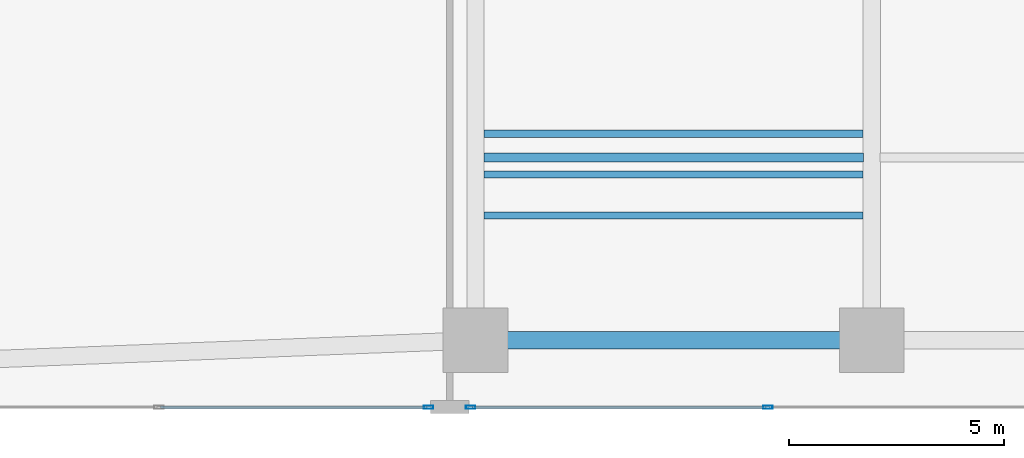
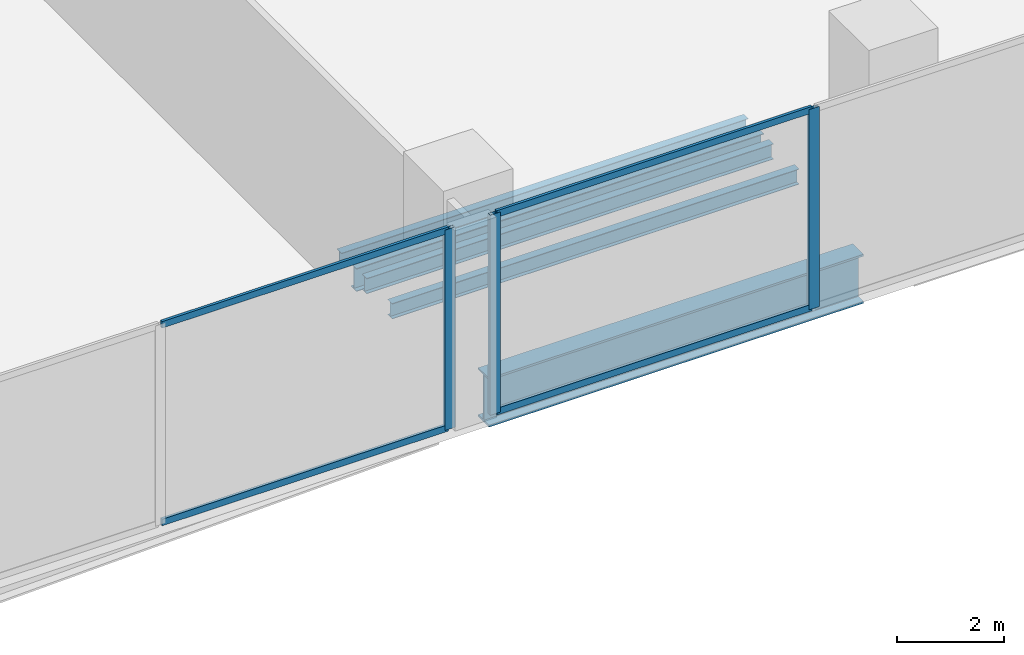
# One storey, part 4 of 28: 7 members, 5 beams, 2 elements without a shape of their own.
"""IFC4 building model written with IfcOpenShell, lengths in metres."""

from ifc_helpers import new_model, si_unit, direction, frame, origin, origin_2d, place, context, subcontext, project, spatial, hollow_rectangle, i_section, extrude, material, layer, layer_set, material_profile, profile_set, type_object, element, aggregate, save


model = new_model("IFC4")

# Units and contexts
model_context = context("Model", 3, precision=1e-05, world=origin(), true_north=direction((0.0, 1.0)))
body_context = subcontext(model_context, "Body", "Model", "MODEL_VIEW")
ifc_project = project(units=[si_unit("LENGTHUNIT", "METRE"), si_unit("AREAUNIT", "SQUARE_METRE"), si_unit("VOLUMEUNIT", "CUBIC_METRE"), si_unit("PLANEANGLEUNIT", "RADIAN"), si_unit("MASSUNIT", "GRAM", prefix="KILO")], contexts=[model_context])

# Site, building, storey
site_placement = place(None, origin())
site = spatial("IfcSite", under=ifc_project, at=site_placement, CompositionType="ELEMENT")
building_placement = place(site_placement, origin())
building = spatial("IfcBuilding", under=site, at=building_placement, Name="Zuhayl Quay Hotel", CompositionType="ELEMENT")
storey_placement = place(building_placement, frame((0.0, 0.0, 22.800048828125)))
storey = spatial("IfcBuildingStorey", under=building, at=storey_placement, Name="L04", CompositionType="ELEMENT", Elevation=22.800048828125)

# Beams
ifc_material_1 = material(Name="Steel ASTM A992 Grade 50", Category="steel")
ifc_material_profile_1 = material_profile(ifc_material_1, i_section(OverallWidth=0.208984375, OverallDepth=0.532958984375, WebThickness=0.01025390625, FlangeThickness=0.015625, at=origin_2d()), Name="W21X62")
ifc_profile_set_1 = profile_set([ifc_material_profile_1], Name="Steel ASTM A992 Grade 50")
beam_type_1 = type_object("IfcBeamType", Name="BM_J1_W21X62", PredefinedType="JOIST", material=ifc_profile_set_1)
beam_1_placement = place(storey_placement, frame((-13.60595703125, -18.199951171875, -0.526611328125), z_axis=(1.0, 0.0, 0.0), x_axis=(0.0, 1.0, 0.0)))
element("IfcBeam", 1, at=beam_1_placement, inside=storey, type_object=beam_type_1, Name="L04 Floor Beam J_POD_L04_1_1", PredefinedType="JOIST", context=body_context, shape_type="SweptSolid", body=[
    extrude(i_section(OverallWidth=0.208984375, OverallDepth=0.532958984375, WebThickness=0.01025390625, FlangeThickness=0.015625, at=origin_2d()), origin(), (0.0, 0.0, 1.0), 8.81201171875),
])
ifc_material_profile_2 = material_profile(ifc_material_1, i_section(OverallWidth=0.1708984375, OverallDepth=0.35205078125, WebThickness=0.0068359375, FlangeThickness=0.009765625, at=origin_2d()), Name="W14X30")
ifc_profile_set_2 = profile_set([ifc_material_profile_2], Name="Steel ASTM A992 Grade 50")
beam_type_2 = type_object("IfcBeamType", Name="BM_J4_W14X30", PredefinedType="JOIST", material=ifc_profile_set_2)
for number, where, z_axis, x_axis, name in (
    (2, (-13.60009765625, -19.550048828125, -0.43603515625), (1.0, 0.0, 0.0), (0.0, 1.0, 0.0), "L04 Floor Beam PTB_L04_1"),
    (3, (-13.60009765625, -18.60009765625, -0.43603515625), (1.0, 0.0, 0.0), (0.0, 1.0, 0.0), "L04 Floor Beam PTB_L04_2"),
    (4, (-13.60009765625, -17.64990234375, -0.43603515625), (1.0, 0.0, 0.0), (0.0, 1.0, 0.0), "L04 Floor Beam PTB_L04_3"),
):
    element("IfcBeam", number, at=place(storey_placement, frame(where, z_axis=z_axis, x_axis=x_axis)), inside=storey, type_object=beam_type_2, Name=name, PredefinedType="JOIST", context=body_context, shape_type="SweptSolid", body=[
        extrude(i_section(OverallWidth=0.1708984375, OverallDepth=0.35205078125, WebThickness=0.0068359375, FlangeThickness=0.009765625, at=origin_2d()), origin(), (0.0, 0.0, 1.0), 8.800048828125),
    ])
ifc_material_2 = material(Name="Steel ASTM A913 Grade 65", Category="steel")
ifc_material_profile_3 = material_profile(ifc_material_2, i_section(OverallWidth=0.404052734375, OverallDepth=1.117919921875, WebThickness=0.026123046875, FlangeThickness=0.044921875, at=origin_2d()), Name="W44X335")
ifc_profile_set_3 = profile_set([ifc_material_profile_3], Name="Steel ASTM A913 Grade 65")
beam_type_3 = type_object("IfcBeamType", Name="BM_TG1_W44X335", PredefinedType="BEAM", material=ifc_profile_set_3)
beam_2_placement = place(storey_placement, frame((-13.25, -22.449951171875, -0.819091796875), z_axis=(1.0, 0.0, 0.0), x_axis=(0.0, 1.0, 0.0)))
element("IfcBeam", 5, at=beam_2_placement, inside=storey, type_object=beam_type_3, Name="L04 Floor Beam PG_S_L04_1", PredefinedType="BEAM", context=body_context, shape_type="SweptSolid", body=[
    extrude(i_section(OverallWidth=0.404052734375, OverallDepth=1.117919921875, WebThickness=0.026123046875, FlangeThickness=0.044921875, at=origin_2d()), origin(), (0.0, 0.0, 1.0), 8.10009765625),
])

# Curtain wall, members
ifc_material_3 = material(Name="Anodised Aluminium 6063-T6", Category="aluminium")
ifc_layer = layer(ifc_material_3, 0.199951171875, Name="Anodised Aluminium 6063-T6", Category="aluminium")
ifc_layer_set = layer_set([ifc_layer], Name="Anodised Aluminium 6063-T6")
curtain_wall_type = type_object("IfcCurtainWallType", Name="CW_SYS_POD", PredefinedType="USERDEFINED", material=ifc_layer_set)
curtain_wall_1_placement = place(storey_placement, origin())
curtain_wall_1 = element("IfcCurtainWall", 6, at=curtain_wall_1_placement, inside=storey, type_object=curtain_wall_type, Name="L04 Curtain Wall ENV_L04_E11_CW2", ObjectType="UNITISED CURTAIN WALL", PredefinedType="USERDEFINED")
ifc_material_4 = material(Name="Black-anodised aluminium 6063-T6", Category="aluminium")
ifc_material_profile_4 = material_profile(ifc_material_4, hollow_rectangle(XDim=0.074951171875, YDim=0.219970703125, WallThickness=0.00390625, at=origin_2d()), Name="ALU220X75")
ifc_profile_set_4 = profile_set([ifc_material_profile_4], Name="Black-anodised aluminium 6063-T6")
member_type_1 = type_object("IfcMemberType", Name="MB_CW_MUL_220", PredefinedType="MULLION", material=ifc_profile_set_4)
member_1_placement = place(storey_placement, frame((-7.014892578125, -24.0, 0.0), z_axis=(0.0, 0.0, 1.0), x_axis=(0.0, -1.0, 0.0)))
member_1 = element("IfcMember", 7, at=member_1_placement, type_object=member_type_1, Name="CW-POD mullion 4", PredefinedType="MULLION", context=body_context, shape_type="SweptSolid", body=[
    extrude(hollow_rectangle(XDim=0.074951171875, YDim=0.219970703125, WallThickness=0.00390625, at=origin_2d()), origin(), (0.0, 0.0, 1.0), 4.579833984375),
])
member_2_placement = place(storey_placement, frame((-13.91259765625, -24.0, 0.0), z_axis=(0.0, 0.0, 1.0), x_axis=(0.0, -1.0, 0.0)))
member_2 = element("IfcMember", 8, at=member_2_placement, type_object=member_type_1, Name="CW-POD mullion 5", PredefinedType="MULLION", context=body_context, shape_type="SweptSolid", body=[
    extrude(hollow_rectangle(XDim=0.074951171875, YDim=0.219970703125, WallThickness=0.00390625, at=origin_2d()), origin(), (0.0, 0.0, 1.0), 4.579833984375),
])

# Curtain wall, member
curtain_wall_2_placement = place(storey_placement, origin())
curtain_wall_2 = element("IfcCurtainWall", 9, at=curtain_wall_2_placement, inside=storey, type_object=curtain_wall_type, Name="L04 Curtain Wall ENV_L04_E11_CW3", ObjectType="UNITISED CURTAIN WALL", PredefinedType="USERDEFINED")
member_3_placement = place(storey_placement, frame((-14.887451171875, -24.0, 0.0), z_axis=(0.0, 0.0, 1.0), x_axis=(0.0, -1.0, 0.0)))
member_3 = element("IfcMember", 10, at=member_3_placement, type_object=member_type_1, Name="CW-POD mullion 1", PredefinedType="MULLION", context=body_context, shape_type="SweptSolid", body=[
    extrude(hollow_rectangle(XDim=0.074951171875, YDim=0.219970703125, WallThickness=0.00390625, at=origin_2d()), origin(), (0.0, 0.0, 1.0), 4.579833984375),
])

# Member
ifc_material_profile_5 = material_profile(ifc_material_4, hollow_rectangle(XDim=0.06005859375, YDim=0.14990234375, WallThickness=0.00341796875, at=origin_2d()), Name="ALU150X60")
ifc_profile_set_5 = profile_set([ifc_material_profile_5], Name="Black-anodised aluminium 6063-T6")
member_type_2 = type_object("IfcMemberType", Name="MB_CW_TRN_150", PredefinedType="USERDEFINED", material=ifc_profile_set_5)
member_4_placement = place(storey_placement, frame((-7.052490234375, -24.0, 0.030029296875), z_axis=(-1.0, 0.0, 0.0), x_axis=(0.0, -1.0, 0.0)))
member_4 = element("IfcMember", 11, at=member_4_placement, type_object=member_type_2, Name="CW-POD transom 4.1", ObjectType="TRANSOM", PredefinedType="USERDEFINED", context=body_context, shape_type="SweptSolid", body=[
    extrude(hollow_rectangle(XDim=0.06005859375, YDim=0.14990234375, WallThickness=0.00341796875, at=origin_2d()), origin(), (0.0, 0.0, 1.0), 6.822509765625),
])

member_5_placement = place(storey_placement, frame((-7.052490234375, -24.0, 4.550048828125), z_axis=(-1.0, 0.0, 0.0), x_axis=(0.0, -1.0, 0.0)))
member_5 = element("IfcMember", 12, at=member_5_placement, type_object=member_type_2, Name="CW-POD transom 4.2", ObjectType="TRANSOM", PredefinedType="USERDEFINED", context=body_context, shape_type="SweptSolid", body=[
    extrude(hollow_rectangle(XDim=0.06005859375, YDim=0.14990234375, WallThickness=0.00341796875, at=origin_2d()), origin(), (0.0, 0.0, 1.0), 6.822509765625),
])

aggregate(curtain_wall_1, [member_1, member_2, member_4, member_5])

member_6_placement = place(storey_placement, frame((-14.925048828125, -24.0, 0.030029296875), z_axis=(-1.0, 0.0, 0.0), x_axis=(0.0, -1.0, 0.0)))
member_6 = element("IfcMember", 13, at=member_6_placement, type_object=member_type_2, Name="CW-POD transom 1.1", ObjectType="TRANSOM", PredefinedType="USERDEFINED", context=body_context, shape_type="SweptSolid", body=[
    extrude(hollow_rectangle(XDim=0.06005859375, YDim=0.14990234375, WallThickness=0.00341796875, at=origin_2d()), origin(), (0.0, 0.0, 1.0), 6.1875),
])

member_7_placement = place(storey_placement, frame((-14.925048828125, -24.0, 4.550048828125), z_axis=(-1.0, 0.0, 0.0), x_axis=(0.0, -1.0, 0.0)))
member_7 = element("IfcMember", 14, at=member_7_placement, type_object=member_type_2, Name="CW-POD transom 1.2", ObjectType="TRANSOM", PredefinedType="USERDEFINED", context=body_context, shape_type="SweptSolid", body=[
    extrude(hollow_rectangle(XDim=0.06005859375, YDim=0.14990234375, WallThickness=0.00341796875, at=origin_2d()), origin(), (0.0, 0.0, 1.0), 6.1875),
])

aggregate(curtain_wall_2, [member_3, member_6, member_7])

save(model, "model.ifc")
